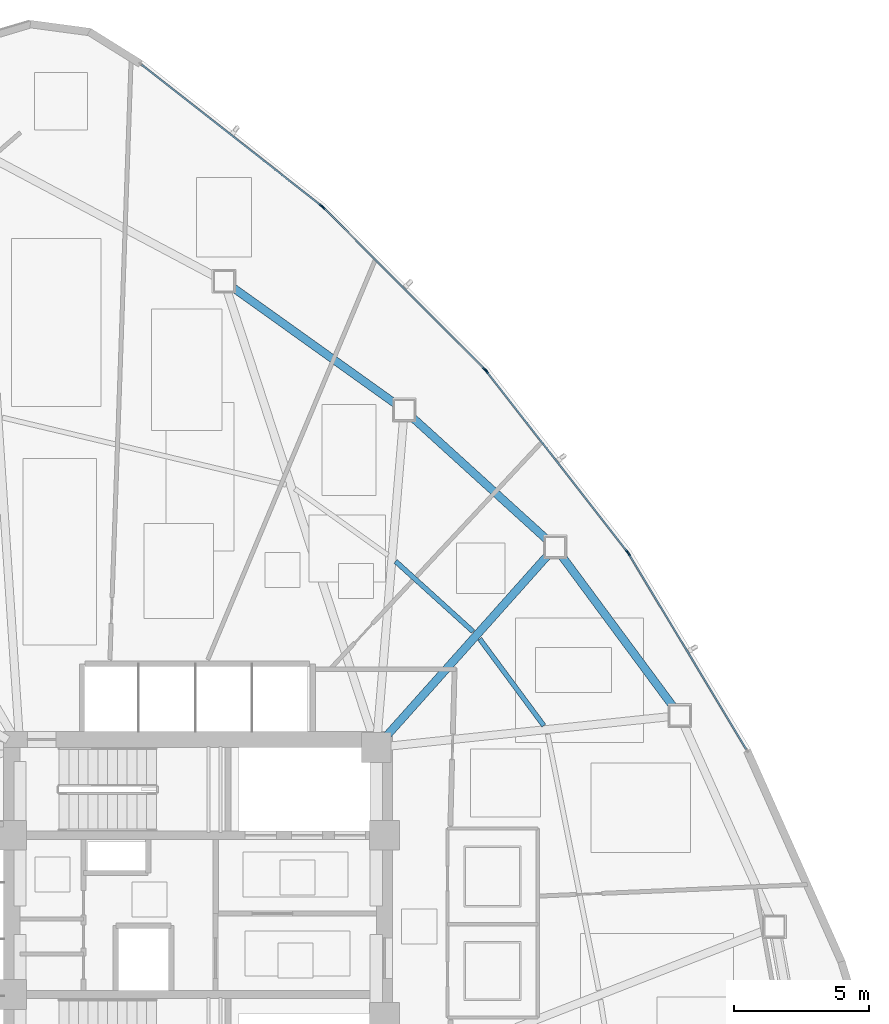
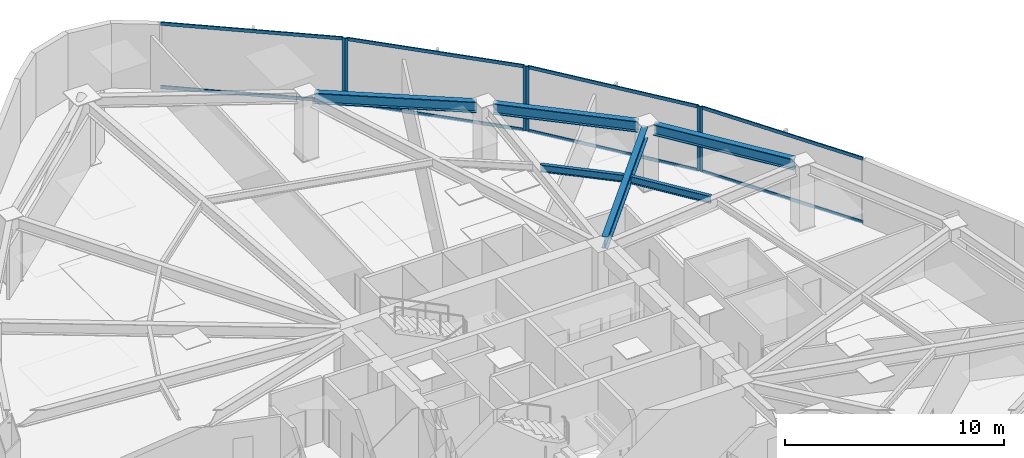
# One storey, part 9 of 17: 14 members, 6 beams, 4 elements without a shape of their own.
"""IFC4 building model written with IfcOpenShell, lengths in metres."""

from ifc_helpers import new_model, si_unit, direction, frame, origin, origin_2d, place, context, subcontext, project, spatial, hollow_rectangle, i_section, extrude, source, transform, mapped, material, layer, layer_set, material_profile, profile_set, type_object, type_shapes, element, aggregate, save


model = new_model("IFC4")

# Units and contexts
model_context = context("Model", 3, precision=1e-05, world=origin(), true_north=direction((0.0, 1.0)))
body_context = subcontext(model_context, "Body", "Model", "MODEL_VIEW")
ifc_project = project(units=[si_unit("LENGTHUNIT", "METRE"), si_unit("AREAUNIT", "SQUARE_METRE"), si_unit("VOLUMEUNIT", "CUBIC_METRE"), si_unit("PLANEANGLEUNIT", "RADIAN"), si_unit("MASSUNIT", "GRAM", prefix="KILO")], contexts=[model_context])

# Site, building, storey
site_placement = place(None, origin())
site = spatial("IfcSite", under=ifc_project, at=site_placement, CompositionType="ELEMENT")
building_placement = place(site_placement, origin())
building = spatial("IfcBuilding", under=site, at=building_placement, Name="Tavelor Broadcast Tower", CompositionType="ELEMENT")
storey_placement = place(building_placement, frame((0.0, 0.0, 43.199951171875)))
storey = spatial("IfcBuildingStorey", under=building, at=storey_placement, Name="L09", CompositionType="ELEMENT", Elevation=43.199951171875)

# Beams
ifc_material_1 = material(Name="Steel S355", Category="steel")
ifc_material_profile_1 = material_profile(ifc_material_1, i_section(OverallWidth=0.179931640625, OverallDepth=0.39990234375, WebThickness=0.008544921875, FlangeThickness=0.013427734375, at=origin_2d()), Name="IPE 400")
ifc_profile_set_1 = profile_set([ifc_material_profile_1], Name="Steel S355")
beam_type_1 = type_object("IfcBeamType", Name="Composite Floor Joist T1 IPE 400", PredefinedType="JOIST", material=ifc_profile_set_1)
beam_1_placement = place(storey_placement, frame((62.804443359375, 52.009521484375, 3.400146484375), z_axis=(-0.594288025828, 0.804252287754, 0.0), x_axis=(-0.804252287754, -0.594288025828, 0.0)))
element("IfcBeam", 1, at=beam_1_placement, inside=storey, type_object=beam_type_1, Name="L09 Secondary Composite Floor Joist 15", PredefinedType="JOIST", context=body_context, shape_type="SweptSolid", body=[
    extrude(i_section(OverallWidth=0.179931640625, OverallDepth=0.39990234375, WebThickness=0.008544921875, FlangeThickness=0.013427734375, at=origin_2d()), origin(), (0.0, 0.0, 1.0), 3.99755859375),
])
beam_2_placement = place(storey_placement, frame((60.18701171875, 55.49169921875, 3.400146484375), z_axis=(-0.740990869176, 0.67151510169, 0.0), x_axis=(-0.67151510169, -0.740990869176, 0.0)))
element("IfcBeam", 2, at=beam_2_placement, inside=storey, type_object=beam_type_1, Name="L09 Secondary Composite Floor Joist 16", PredefinedType="JOIST", context=body_context, shape_type="SweptSolid", body=[
    extrude(i_section(OverallWidth=0.179931640625, OverallDepth=0.39990234375, WebThickness=0.008544921875, FlangeThickness=0.013427734375, at=origin_2d()), origin(), (0.0, 0.0, 1.0), 3.8759765625),
])
ifc_material_profile_2 = material_profile(ifc_material_1, i_section(OverallWidth=0.300048828125, OverallDepth=0.60009765625, WebThickness=0.015380859375, FlangeThickness=0.030029296875, at=origin_2d()), Name="HEB 600")
ifc_profile_set_2 = profile_set([ifc_material_profile_2], Name="Steel S355")
beam_type_2 = type_object("IfcBeamType", Name="Perimeter Spandrel Beam T1 HEB 600", PredefinedType="SPANDREL", material=ifc_profile_set_2)
beam_3_placement = place(storey_placement, frame((67.6123046875, 52.69140625, 3.300048828125), z_axis=(-0.594687385164, 0.803957034876, 0.0), x_axis=(-0.803957034876, -0.594687385164, 0.0)))
element("IfcBeam", 3, at=beam_3_placement, inside=storey, type_object=beam_type_2, Name="L09 Framed-Tube Ring Spandrel 15", PredefinedType="SPANDREL", context=body_context, shape_type="SweptSolid", body=[
    extrude(i_section(OverallWidth=0.300048828125, OverallDepth=0.60009765625, WebThickness=0.015380859375, FlangeThickness=0.030029296875, at=origin_2d()), origin(), (0.0, 0.0, 1.0), 6.9951171875),
])
beam_4_placement = place(storey_placement, frame((62.939697265625, 58.882080078125, 3.300048828125), z_axis=(-0.740415616175, 0.672149325168, 0.0), x_axis=(-0.672149325168, -0.740415616175, 0.0)))
element("IfcBeam", 4, at=beam_4_placement, inside=storey, type_object=beam_type_2, Name="L09 Framed-Tube Ring Spandrel 16", PredefinedType="SPANDREL", context=body_context, shape_type="SweptSolid", body=[
    extrude(i_section(OverallWidth=0.300048828125, OverallDepth=0.60009765625, WebThickness=0.015380859375, FlangeThickness=0.030029296875, at=origin_2d()), origin(), (0.0, 0.0, 1.0), 6.78076171875),
])
beam_5_placement = place(storey_placement, frame((57.322509765625, 63.921142578125, 3.300048828125), z_axis=(-0.813480467782, 0.581592235624, 0.0), x_axis=(-0.581592235624, -0.813480467782, 0.0)))
element("IfcBeam", 5, at=beam_5_placement, inside=storey, type_object=beam_type_2, Name="L09 Framed-Tube Ring Spandrel 17", PredefinedType="SPANDREL", context=body_context, shape_type="SweptSolid", body=[
    extrude(i_section(OverallWidth=0.300048828125, OverallDepth=0.60009765625, WebThickness=0.015380859375, FlangeThickness=0.030029296875, at=origin_2d()), origin(), (0.0, 0.0, 1.0), 7.43505859375),
])
ifc_material_profile_3 = material_profile(ifc_material_1, i_section(OverallWidth=0.300048828125, OverallDepth=0.64990234375, WebThickness=0.01611328125, FlangeThickness=0.031005859375, at=origin_2d()), Name="HEB 650")
ifc_profile_set_3 = profile_set([ifc_material_profile_3], Name="Steel S355")
beam_type_3 = type_object("IfcBeamType", Name="Radial Floor Girder T1 HEB 650", PredefinedType="BEAM", material=ifc_profile_set_3)
beam_6_placement = place(storey_placement, frame((56.951416015625, 51.593994140625, 3.275146484375), z_axis=(0.665781144197, 0.746147082036, 0.0), x_axis=(-0.746147082036, 0.665781144197, 0.0)))
element("IfcBeam", 6, at=beam_6_placement, inside=storey, type_object=beam_type_3, Name="L09 Radial Primary Floor Girder 16", PredefinedType="BEAM", context=body_context, shape_type="SweptSolid", body=[
    extrude(i_section(OverallWidth=0.300048828125, OverallDepth=0.64990234375, WebThickness=0.01611328125, FlangeThickness=0.031005859375, at=origin_2d()), origin(), (0.0, 0.0, 1.0), 9.03759765625),
])

# Curtain wall, member
ifc_material_2 = material(Name="Architectural Anodized Aluminium", Category="aluminium")
ifc_layer = layer(ifc_material_2, 0.179931640625)
ifc_layer_set = layer_set([ifc_layer], Name="Architectural Anodized Aluminium")
curtain_wall_type = type_object("IfcCurtainWallType", Name="Tower Low-Zone Unitised Curtain Wall CW02", PredefinedType="NOTDEFINED", material=ifc_layer_set)
curtain_wall_1_placement = place(storey_placement, origin())
curtain_wall_1 = element("IfcCurtainWall", 7, at=curtain_wall_1_placement, inside=storey, type_object=curtain_wall_type, Name="L09 Curtain Wall CW02 Run 69", PredefinedType="NOTDEFINED")
ifc_material_profile_4 = material_profile(ifc_material_2, hollow_rectangle(XDim=0.06494140625, YDim=0.179931640625, WallThickness=0.02197265625, at=origin_2d()), Name="RHS 65x180x22")
ifc_profile_set_4 = profile_set([ifc_material_profile_4], Name="Architectural Anodized Aluminium")
member_type_1 = type_object("IfcMemberType", Name="CW02 Extruded Aluminium Mullion 65x180", PredefinedType="MULLION", material=ifc_profile_set_4)
shared_shape_1 = source(origin(), body_context, "Body", "SweptSolid", [
    extrude(hollow_rectangle(XDim=0.06494140625, YDim=0.179931640625, WallThickness=0.02197265625, at=origin_2d()), origin(), (0.0, 0.0, 1.0), 3.60009765625),
])
type_shapes(member_type_1, [shared_shape_1])
member_1_placement = place(storey_placement, frame((65.947265625, 58.376953125, 0.0), z_axis=(0.0, 0.0, 1.0), x_axis=(-0.856947701911, -0.51540337231, 0.0)))
member_1 = element("IfcMember", 8, at=member_1_placement, type_object=member_type_1, Name="CW02 mullion 2", PredefinedType="MULLION", context=body_context, shape_type="MappedRepresentation", body=[
    mapped(shared_shape_1, transform((0.0, 0.0, 0.0), scale=1.0)),
])

# Curtain wall, members
curtain_wall_2_placement = place(storey_placement, origin())
curtain_wall_2 = element("IfcCurtainWall", 9, at=curtain_wall_2_placement, inside=storey, type_object=curtain_wall_type, Name="L09 Curtain Wall CW02 Run 70", PredefinedType="NOTDEFINED")
member_2_placement = place(storey_placement, frame((65.8935546875, 58.455078125, 0.0), z_axis=(0.0, 0.0, 1.0), x_axis=(-0.788273102572, -0.615325536413, 0.0)))
member_2 = element("IfcMember", 10, at=member_2_placement, type_object=member_type_1, Name="CW02 mullion 1", PredefinedType="MULLION", context=body_context, shape_type="MappedRepresentation", body=[
    mapped(shared_shape_1, transform((0.0, 0.0, 0.0), scale=1.0)),
])
member_3_placement = place(storey_placement, frame((60.680419921875, 65.133544921875, 0.0), z_axis=(0.0, 0.0, 1.0), x_axis=(-0.788273102572, -0.615325536413, 0.0)))
member_3 = element("IfcMember", 11, at=member_3_placement, type_object=member_type_1, Name="CW02 mullion 2", PredefinedType="MULLION", context=body_context, shape_type="MappedRepresentation", body=[
    mapped(shared_shape_1, transform((0.0, 0.0, 0.0), scale=1.0)),
])

curtain_wall_3_placement = place(storey_placement, origin())
curtain_wall_3 = element("IfcCurtainWall", 12, at=curtain_wall_3_placement, inside=storey, type_object=curtain_wall_type, Name="L09 Curtain Wall CW02 Run 71", PredefinedType="NOTDEFINED")
member_4_placement = place(storey_placement, frame((60.61767578125, 65.20458984375, 0.0), z_axis=(0.0, 0.0, 1.0), x_axis=(-0.708025682001, -0.706186684685, 0.0)))
member_4 = element("IfcMember", 13, at=member_4_placement, type_object=member_type_1, Name="CW02 mullion 1", PredefinedType="MULLION", context=body_context, shape_type="MappedRepresentation", body=[
    mapped(shared_shape_1, transform((0.0, 0.0, 0.0), scale=1.0)),
])
member_5_placement = place(storey_placement, frame((54.634765625, 71.203369140625, 0.0), z_axis=(0.0, 0.0, 1.0), x_axis=(-0.708025682001, -0.706186684685, 0.0)))
member_5 = element("IfcMember", 14, at=member_5_placement, type_object=member_type_1, Name="CW02 mullion 2", PredefinedType="MULLION", context=body_context, shape_type="MappedRepresentation", body=[
    mapped(shared_shape_1, transform((0.0, 0.0, 0.0), scale=1.0)),
])

curtain_wall_4_placement = place(storey_placement, origin())
curtain_wall_4 = element("IfcCurtainWall", 15, at=curtain_wall_4_placement, inside=storey, type_object=curtain_wall_type, Name="L09 Curtain Wall CW02 Run 72", PredefinedType="NOTDEFINED")
member_6_placement = place(storey_placement, frame((54.563720703125, 71.266357421875, 0.0), z_axis=(0.0, 0.0, 1.0), x_axis=(-0.617356219302, -0.786683734731, 0.0)))
member_6 = element("IfcMember", 16, at=member_6_placement, type_object=member_type_1, Name="CW02 mullion 1", PredefinedType="MULLION", context=body_context, shape_type="MappedRepresentation", body=[
    mapped(shared_shape_1, transform((0.0, 0.0, 0.0), scale=1.0)),
])
ifc_material_profile_5 = material_profile(ifc_material_2, hollow_rectangle(XDim=0.06494140625, YDim=0.179931640625, WallThickness=0.02197265625, at=origin_2d()), Name="RHS 65x180x22")
ifc_profile_set_5 = profile_set([ifc_material_profile_5], Name="Architectural Anodized Aluminium")
member_type_2 = type_object("IfcMemberType", Name="CW02 Extruded Aluminium Transom 65x180", PredefinedType="USERDEFINED", material=ifc_profile_set_5)
shared_shape_2 = source(origin(), body_context, "Body", "SweptSolid", [
    extrude(hollow_rectangle(XDim=0.06494140625, YDim=0.179931640625, WallThickness=0.02197265625, at=origin_2d()), origin(), (0.0, 0.0, 1.0), 8.42333984375),
])
member_7_placement = place(storey_placement, frame((54.5380859375, 71.286376953125, 0.032470703125), z_axis=(-0.786682284548, 0.617358067234, 0.0), x_axis=(-0.617358067234, -0.786682284548, 0.0)))
member_7 = element("IfcMember", 17, at=member_7_placement, type_object=member_type_2, Name="CW02 transom 1.1", ObjectType="TRANSOM", PredefinedType="USERDEFINED", context=body_context, shape_type="MappedRepresentation", body=[
    mapped(shared_shape_2, transform((0.0, 0.0, 0.0), scale=1.0)),
])
member_8_placement = place(storey_placement, frame((54.5380859375, 71.286376953125, 3.567626953125), z_axis=(-0.786682284548, 0.617358067234, 0.0), x_axis=(-0.617358067234, -0.786682284548, 0.0)))
member_8 = element("IfcMember", 18, at=member_8_placement, type_object=member_type_2, Name="CW02 transom 1.2", ObjectType="TRANSOM", PredefinedType="USERDEFINED", context=body_context, shape_type="MappedRepresentation", body=[
    mapped(shared_shape_2, transform((0.0, 0.0, 0.0), scale=1.0)),
])
aggregate(curtain_wall_4, [member_6, member_7, member_8])

# Member
shared_shape_3 = source(origin(), body_context, "Body", "SweptSolid", [
    extrude(hollow_rectangle(XDim=0.06494140625, YDim=0.179931640625, WallThickness=0.02197265625, at=origin_2d()), origin(), (0.0, 0.0, 1.0), 8.42236328125),
])
member_9_placement = place(storey_placement, frame((70.304931640625, 51.131591796875, 0.032470703125), z_axis=(-0.51539493254, 0.856952777878, 0.0), x_axis=(-0.856952777878, -0.51539493254, 0.0)))
member_9 = element("IfcMember", 19, at=member_9_placement, type_object=member_type_2, Name="CW02 transom 1.1", ObjectType="TRANSOM", PredefinedType="USERDEFINED", context=body_context, shape_type="MappedRepresentation", body=[
    mapped(shared_shape_3, transform((0.0, 0.0, 0.0), scale=1.0)),
])

member_10_placement = place(storey_placement, frame((70.304931640625, 51.131591796875, 3.567626953125), z_axis=(-0.51539493254, 0.856952777878, 0.0), x_axis=(-0.856952777878, -0.51539493254, 0.0)))
member_10 = element("IfcMember", 20, at=member_10_placement, type_object=member_type_2, Name="CW02 transom 1.2", ObjectType="TRANSOM", PredefinedType="USERDEFINED", context=body_context, shape_type="MappedRepresentation", body=[
    mapped(shared_shape_3, transform((0.0, 0.0, 0.0), scale=1.0)),
])

aggregate(curtain_wall_1, [member_1, member_9, member_10])

shared_shape_4 = source(origin(), body_context, "Body", "SweptSolid", [
    extrude(hollow_rectangle(XDim=0.06494140625, YDim=0.179931640625, WallThickness=0.02197265625, at=origin_2d()), origin(), (0.0, 0.0, 1.0), 8.4072265625),
])
member_11_placement = place(storey_placement, frame((65.87353515625, 58.480712890625, 0.032470703125), z_axis=(-0.615318831235, 0.788278336584, 0.0), x_axis=(-0.788278336584, -0.615318831235, 0.0)))
member_11 = element("IfcMember", 21, at=member_11_placement, type_object=member_type_2, Name="CW02 transom 1.1", ObjectType="TRANSOM", PredefinedType="USERDEFINED", context=body_context, shape_type="MappedRepresentation", body=[
    mapped(shared_shape_4, transform((0.0, 0.0, 0.0), scale=1.0)),
])

member_12_placement = place(storey_placement, frame((65.87353515625, 58.480712890625, 3.567626953125), z_axis=(-0.615318831235, 0.788278336584, 0.0), x_axis=(-0.788278336584, -0.615318831235, 0.0)))
member_12 = element("IfcMember", 22, at=member_12_placement, type_object=member_type_2, Name="CW02 transom 1.2", ObjectType="TRANSOM", PredefinedType="USERDEFINED", context=body_context, shape_type="MappedRepresentation", body=[
    mapped(shared_shape_4, transform((0.0, 0.0, 0.0), scale=1.0)),
])

aggregate(curtain_wall_2, [member_2, member_3, member_11, member_12])

shared_shape_5 = source(origin(), body_context, "Body", "SweptSolid", [
    extrude(hollow_rectangle(XDim=0.06494140625, YDim=0.179931640625, WallThickness=0.02197265625, at=origin_2d()), origin(), (0.0, 0.0, 1.0), 8.406982421875),
])
type_shapes(member_type_2, [shared_shape_2, shared_shape_3, shared_shape_4, shared_shape_5])
member_13_placement = place(storey_placement, frame((60.5947265625, 65.227783203125, 0.032470703125), z_axis=(-0.706191433752, 0.708020945238, 0.0), x_axis=(-0.708020945238, -0.706191433752, 0.0)))
member_13 = element("IfcMember", 23, at=member_13_placement, type_object=member_type_2, Name="CW02 transom 1.1", ObjectType="TRANSOM", PredefinedType="USERDEFINED", context=body_context, shape_type="MappedRepresentation", body=[
    mapped(shared_shape_5, transform((0.0, 0.0, 0.0), scale=1.0)),
])

member_14_placement = place(storey_placement, frame((60.5947265625, 65.227783203125, 3.567626953125), z_axis=(-0.706191433752, 0.708020945238, 0.0), x_axis=(-0.708020945238, -0.706191433752, 0.0)))
member_14 = element("IfcMember", 24, at=member_14_placement, type_object=member_type_2, Name="CW02 transom 1.2", ObjectType="TRANSOM", PredefinedType="USERDEFINED", context=body_context, shape_type="MappedRepresentation", body=[
    mapped(shared_shape_5, transform((0.0, 0.0, 0.0), scale=1.0)),
])

aggregate(curtain_wall_3, [member_4, member_5, member_13, member_14])

save(model, "model.ifc")
